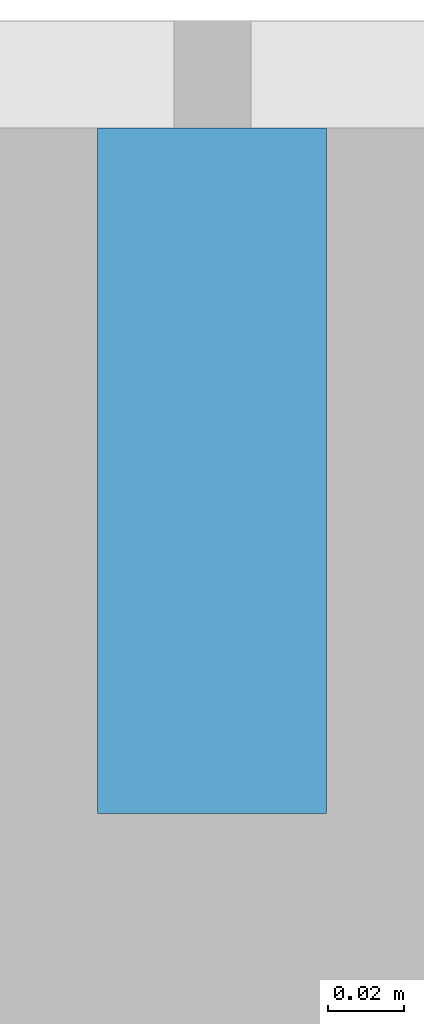
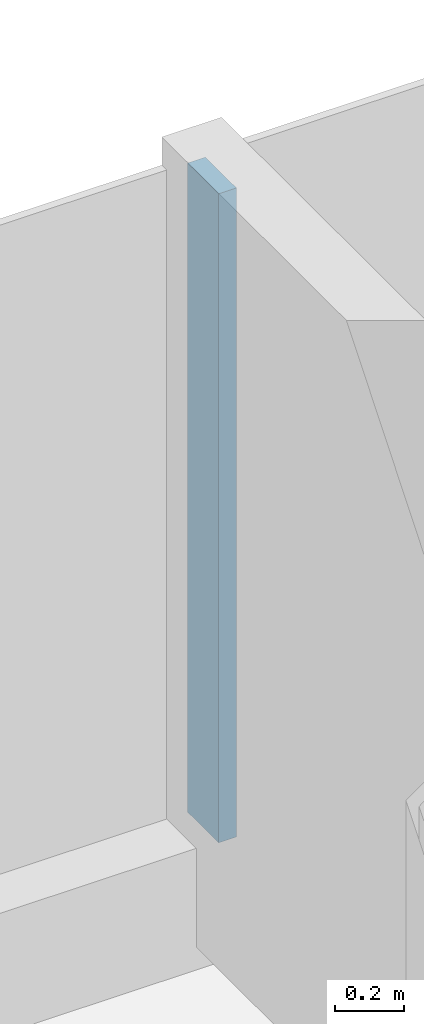
# One storey, part 8 of 27: 1 member, 1 element without a shape of its own.
"""IFC4 building model written with IfcOpenShell, lengths in metres."""

from ifc_helpers import new_model, si_unit, direction, frame, origin, origin_2d, place, context, subcontext, project, spatial, rectangle, extrude, material, layer, layer_set, material_profile, profile_set, type_object, element, aggregate, save


model = new_model("IFC4")

# Units and contexts
model_context = context("Model", 3, precision=1e-05, world=origin(), true_north=direction((0.0, 1.0)))
body_context = subcontext(model_context, "Body", "Model", "MODEL_VIEW")
ifc_project = project(units=[si_unit("LENGTHUNIT", "METRE"), si_unit("AREAUNIT", "SQUARE_METRE"), si_unit("VOLUMEUNIT", "CUBIC_METRE"), si_unit("PLANEANGLEUNIT", "RADIAN"), si_unit("MASSUNIT", "GRAM", prefix="KILO")], contexts=[model_context])

# Site, building, storey
site_placement = place(None, origin())
site = spatial("IfcSite", under=ifc_project, at=site_placement, CompositionType="ELEMENT")
building_placement = place(site_placement, origin())
building = spatial("IfcBuilding", under=site, at=building_placement, Name="Hakoniwa Tower and Hamabe Station Hall", CompositionType="ELEMENT")
storey_placement = place(building_placement, frame((0.0, 0.0, 166.199951171875)))
storey = spatial("IfcBuildingStorey", under=building, at=storey_placement, Name="L47", CompositionType="ELEMENT", Elevation=166.199951171875)

# Curtain wall, member
ifc_material_1 = material(Name="Dark low-e laminated glass", Category="glass")
ifc_layer = layer(ifc_material_1, 0.199951171875)
ifc_layer_set = layer_set([ifc_layer], Name="CW-1 UNITISED GUEST")
curtain_wall_type = type_object("IfcCurtainWallType", Name="CW-1 UNITISED GUEST", PredefinedType="NOTDEFINED", material=ifc_layer_set)
curtain_wall_placement = place(storey_placement, origin())
curtain_wall = element("IfcCurtainWall", 1, at=curtain_wall_placement, inside=storey, type_object=curtain_wall_type, Name="CW-1 curtain wall", PredefinedType="NOTDEFINED")
ifc_material_2 = material(Name="Aluminium 6063-T5 black anodised", Category="aluminium")
ifc_material_profile = material_profile(ifc_material_2, rectangle(XDim=0.06005859375, YDim=0.179931640625, at=origin_2d()), Name="CW-1 MULLION 60X180")
ifc_profile_set = profile_set([ifc_material_profile], Name="Aluminium 6063-T5 black anodised")
member_type = type_object("IfcMemberType", Name="CW-1 MULLION 60X180", PredefinedType="MULLION", material=ifc_profile_set)
member_placement = place(storey_placement, frame((8.39990234375, 18.181884765625, 0.35009765625), z_axis=(0.0, 0.0, 1.0), x_axis=(-1.0, 0.0, 0.0)))
member = element("IfcMember", 2, at=member_placement, type_object=member_type, Name="CW-1 mullion", PredefinedType="MULLION", context=body_context, shape_type="SweptSolid", body=[
    extrude(rectangle(XDim=0.06005859375, YDim=0.179931640625, at=origin_2d()), origin(), (0.0, 0.0, 1.0), 2.300048828125),
])
aggregate(curtain_wall, [member])

save(model, "model.ifc")
